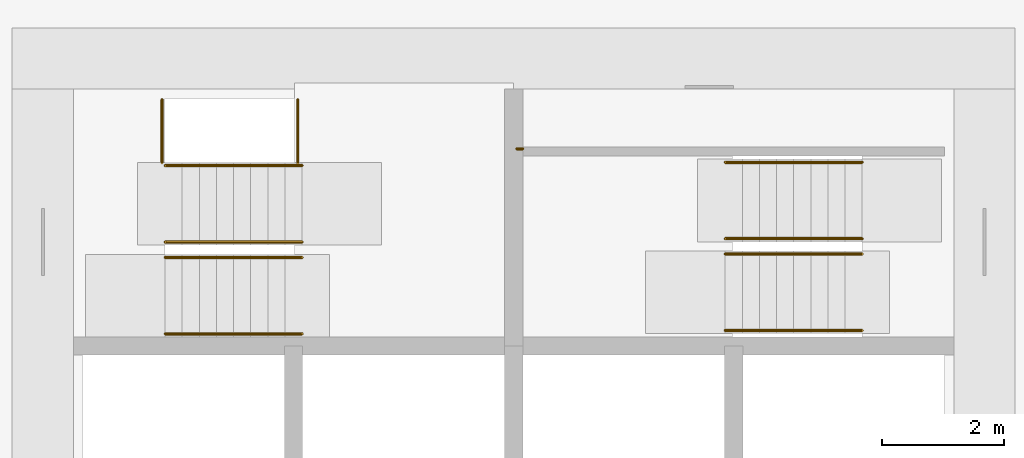
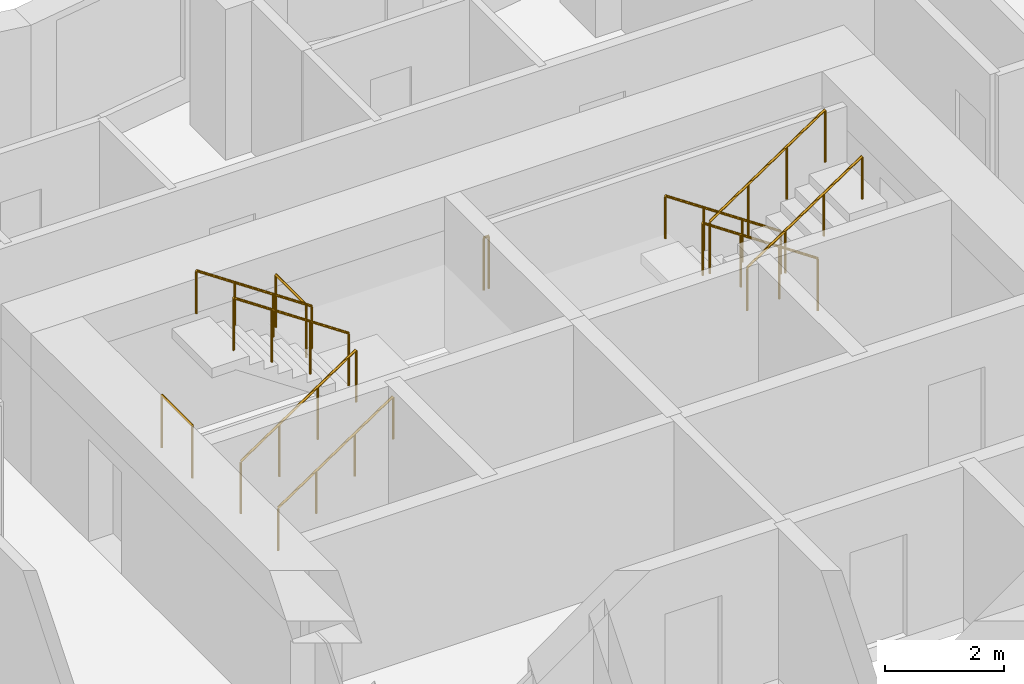
# One storey, part 11 of 13: 11 railings.
"""IFC4 building model written with IfcOpenShell, lengths in metres."""

from ifc_helpers import new_model, si_unit, direction, frame, origin, origin_2d, place, context, subcontext, project, spatial, circle, extrude, material, type_object, element, save


model = new_model("IFC4")

# Units and contexts
model_context = context("Model", 3, precision=1e-05, world=origin(), true_north=direction((0.0, 1.0)))
body_context = subcontext(model_context, "Body", "Model", "MODEL_VIEW")
ifc_project = project(units=[si_unit("LENGTHUNIT", "METRE"), si_unit("AREAUNIT", "SQUARE_METRE"), si_unit("VOLUMEUNIT", "CUBIC_METRE"), si_unit("PLANEANGLEUNIT", "RADIAN"), si_unit("MASSUNIT", "GRAM", prefix="KILO")], contexts=[model_context])

# Site, building, storey
site_placement = place(None, origin())
site = spatial("IfcSite", under=ifc_project, at=site_placement, CompositionType="ELEMENT")
building_placement = place(site_placement, origin())
building = spatial("IfcBuilding", under=site, at=building_placement, Name="Windrow Commons", CompositionType="ELEMENT")
storey_placement = place(building_placement, frame((0.0, 0.0, 64.4)))
storey = spatial("IfcBuildingStorey", under=building, at=storey_placement, Name="L17", CompositionType="ELEMENT", Elevation=64.4)

# Railings
ifc_material_1 = material(Name="Steel S355", Category="steel")
railing_type_1 = type_object("IfcRailingType", Name="Core stair guard 1100", PredefinedType="GUARDRAIL", material=ifc_material_1)
railing_1_placement = place(storey_placement, frame((59.1, 62.05, 0.1889)))
element("IfcRailing", 1, at=railing_1_placement, inside=storey, type_object=railing_type_1, Name="L17 ST-A1 stair guard 1", PredefinedType="GUARDRAIL", context=body_context, shape_type="SweptSolid", body=[
    extrude(circle(Radius=0.024, at=origin_2d()), frame((0.0, 0.0, 1.076), z_axis=(0.8290030985, 0.0, 0.5592440099), x_axis=(0.0, 1.0, 0.0)), (0.0, 0.0, 1.0), 2.702),
    extrude(circle(Radius=0.021, at=origin_2d()), origin(), (0.0, 0.0, 1.0), 1.052),
    extrude(circle(Radius=0.021, at=origin_2d()), frame((0.7467, 0.0, 0.5037)), (0.0, 0.0, 1.0), 1.052),
    extrude(circle(Radius=0.021, at=origin_2d()), frame((1.4933, 0.0, 1.0074)), (0.0, 0.0, 1.0), 1.052),
    extrude(circle(Radius=0.021, at=origin_2d()), frame((2.24, 0.0, 1.5111)), (0.0, 0.0, 1.0), 1.052),
])
railing_2_placement = place(storey_placement, frame((61.34, 62.3, 1.8889)))
element("IfcRailing", 2, at=railing_2_placement, inside=storey, type_object=railing_type_1, Name="L17 ST-A1 stair guard 2", PredefinedType="GUARDRAIL", context=body_context, shape_type="SweptSolid", body=[
    extrude(circle(Radius=0.024, at=origin_2d()), frame((0.0, 0.0, 1.076), z_axis=(-0.8290030985, 0.0, 0.5592440099), x_axis=(0.0, -1.0, 0.0)), (0.0, 0.0, 1.0), 2.702),
    extrude(circle(Radius=0.021, at=origin_2d()), origin(), (0.0, 0.0, 1.0), 1.052),
    extrude(circle(Radius=0.021, at=origin_2d()), frame((-0.7467, 0.0, 0.5037)), (0.0, 0.0, 1.0), 1.052),
    extrude(circle(Radius=0.021, at=origin_2d()), frame((-1.4933, 0.0, 1.0074)), (0.0, 0.0, 1.0), 1.052),
    extrude(circle(Radius=0.021, at=origin_2d()), frame((-2.24, 0.0, 1.5111)), (0.0, 0.0, 1.0), 1.052),
])
for number, where, name in (
    (3, (59.05, 63.6, 0.0), "L17 ST-A1 stair guard 3"),
    (4, (61.27, 63.6, 1.7), "L17 ST-A1 stair guard 4"),
):
    element("IfcRailing", number, at=place(storey_placement, frame(where)), inside=storey, type_object=railing_type_1, Name=name, PredefinedType="GUARDRAIL", context=body_context, shape_type="SweptSolid", body=[
        extrude(circle(Radius=0.024, at=origin_2d()), frame((0.0, 0.0, 1.076), z_axis=(0.0, 1.0, 0.0), x_axis=(-1.0, 0.0, 0.0)), (0.0, 0.0, 1.0), 1.03),
        extrude(circle(Radius=0.021, at=origin_2d()), origin(), (0.0, 0.0, 1.0), 1.052),
        extrude(circle(Radius=0.021, at=origin_2d()), frame((0.0, 1.03, 0.0)), (0.0, 0.0, 1.0), 1.052),
    ])
railing_3_placement = place(storey_placement, frame((70.5, 62.355, 0.1889)))
element("IfcRailing", 5, at=railing_3_placement, inside=storey, type_object=railing_type_1, Name="L17 ST-A2 stair guard 1", PredefinedType="GUARDRAIL", context=body_context, shape_type="SweptSolid", body=[
    extrude(circle(Radius=0.024, at=origin_2d()), frame((0.0, 0.0, 1.076), z_axis=(-0.8290030985, 0.0, 0.5592440099), x_axis=(0.0, -1.0, 0.0)), (0.0, 0.0, 1.0), 2.702),
    extrude(circle(Radius=0.021, at=origin_2d()), origin(), (0.0, 0.0, 1.0), 1.052),
    extrude(circle(Radius=0.021, at=origin_2d()), frame((-0.7467, 0.0, 0.5037)), (0.0, 0.0, 1.0), 1.052),
    extrude(circle(Radius=0.021, at=origin_2d()), frame((-1.4933, 0.0, 1.0074)), (0.0, 0.0, 1.0), 1.052),
    extrude(circle(Radius=0.021, at=origin_2d()), frame((-2.24, 0.0, 1.5111)), (0.0, 0.0, 1.0), 1.052),
])
railing_4_placement = place(storey_placement, frame((68.26, 62.105, 1.8889)))
element("IfcRailing", 6, at=railing_4_placement, inside=storey, type_object=railing_type_1, Name="L17 ST-A2 stair guard 2", PredefinedType="GUARDRAIL", context=body_context, shape_type="SweptSolid", body=[
    extrude(circle(Radius=0.024, at=origin_2d()), frame((0.0, 0.0, 1.076), z_axis=(0.8290030985, 0.0, 0.5592440099), x_axis=(0.0, 1.0, 0.0)), (0.0, 0.0, 1.0), 2.702),
    extrude(circle(Radius=0.021, at=origin_2d()), origin(), (0.0, 0.0, 1.0), 1.052),
    extrude(circle(Radius=0.021, at=origin_2d()), frame((0.7467, 0.0, 0.5037)), (0.0, 0.0, 1.0), 1.052),
    extrude(circle(Radius=0.021, at=origin_2d()), frame((1.4933, 0.0, 1.0074)), (0.0, 0.0, 1.0), 1.052),
    extrude(circle(Radius=0.021, at=origin_2d()), frame((2.24, 0.0, 1.5111)), (0.0, 0.0, 1.0), 1.052),
])
railing_5_placement = place(storey_placement, frame((64.95, 63.825, 1.7)))
element("IfcRailing", 7, at=railing_5_placement, inside=storey, type_object=railing_type_1, Name="L17 ST-A2 stair guard 3", PredefinedType="GUARDRAIL", context=body_context, shape_type="SweptSolid", body=[
    extrude(circle(Radius=0.024, at=origin_2d()), frame((0.0, 0.0, 1.076), z_axis=(-1.0, 0.0, 0.0), x_axis=(0.0, -1.0, 0.0)), (0.0, 0.0, 1.0), 0.1),
    extrude(circle(Radius=0.021, at=origin_2d()), origin(), (0.0, 0.0, 1.0), 1.052),
    extrude(circle(Radius=0.021, at=origin_2d()), frame((-0.1, 0.0, 0.0)), (0.0, 0.0, 1.0), 1.052),
])
ifc_material_2 = material(Name="Steel S355", Category="steel")
railing_type_2 = type_object("IfcRailingType", Name="Core stair handrail 900", PredefinedType="HANDRAIL", material=ifc_material_2)
railing_6_placement = place(storey_placement, frame((59.1, 60.8, 0.1889)))
element("IfcRailing", 8, at=railing_6_placement, inside=storey, type_object=railing_type_2, Name="L17 ST-A1 stair handrail 1", PredefinedType="HANDRAIL", context=body_context, shape_type="SweptSolid", body=[
    extrude(circle(Radius=0.024, at=origin_2d()), frame((0.0, 0.0, 0.876), z_axis=(0.8290030985, 0.0, 0.5592440099), x_axis=(0.0, 1.0, 0.0)), (0.0, 0.0, 1.0), 2.702),
    extrude(circle(Radius=0.021, at=origin_2d()), origin(), (0.0, 0.0, 1.0), 0.852),
    extrude(circle(Radius=0.021, at=origin_2d()), frame((0.7467, 0.0, 0.5037)), (0.0, 0.0, 1.0), 0.852),
    extrude(circle(Radius=0.021, at=origin_2d()), frame((1.4933, 0.0, 1.0074)), (0.0, 0.0, 1.0), 0.852),
    extrude(circle(Radius=0.021, at=origin_2d()), frame((2.24, 0.0, 1.5111)), (0.0, 0.0, 1.0), 0.852),
])
for number, where, name in (
    (9, (61.34, 63.55, 1.8889), "L17 ST-A1 stair handrail 2"),
    (10, (70.5, 63.605, 0.1889), "L17 ST-A2 stair handrail 1"),
):
    element("IfcRailing", number, at=place(storey_placement, frame(where)), inside=storey, type_object=railing_type_2, Name=name, PredefinedType="HANDRAIL", context=body_context, shape_type="SweptSolid", body=[
        extrude(circle(Radius=0.024, at=origin_2d()), frame((0.0, 0.0, 0.876), z_axis=(-0.8290030985, 0.0, 0.5592440099), x_axis=(0.0, -1.0, 0.0)), (0.0, 0.0, 1.0), 2.702),
        extrude(circle(Radius=0.021, at=origin_2d()), origin(), (0.0, 0.0, 1.0), 0.852),
        extrude(circle(Radius=0.021, at=origin_2d()), frame((-0.7467, 0.0, 0.5037)), (0.0, 0.0, 1.0), 0.852),
        extrude(circle(Radius=0.021, at=origin_2d()), frame((-1.4933, 0.0, 1.0074)), (0.0, 0.0, 1.0), 0.852),
        extrude(circle(Radius=0.021, at=origin_2d()), frame((-2.24, 0.0, 1.5111)), (0.0, 0.0, 1.0), 0.852),
    ])
railing_7_placement = place(storey_placement, frame((68.26, 60.855, 1.8889)))
element("IfcRailing", 11, at=railing_7_placement, inside=storey, type_object=railing_type_2, Name="L17 ST-A2 stair handrail 2", PredefinedType="HANDRAIL", context=body_context, shape_type="SweptSolid", body=[
    extrude(circle(Radius=0.024, at=origin_2d()), frame((0.0, 0.0, 0.876), z_axis=(0.8290030985, 0.0, 0.5592440099), x_axis=(0.0, 1.0, 0.0)), (0.0, 0.0, 1.0), 2.702),
    extrude(circle(Radius=0.021, at=origin_2d()), origin(), (0.0, 0.0, 1.0), 0.852),
    extrude(circle(Radius=0.021, at=origin_2d()), frame((0.7467, 0.0, 0.5037)), (0.0, 0.0, 1.0), 0.852),
    extrude(circle(Radius=0.021, at=origin_2d()), frame((1.4933, 0.0, 1.0074)), (0.0, 0.0, 1.0), 0.852),
    extrude(circle(Radius=0.021, at=origin_2d()), frame((2.24, 0.0, 1.5111)), (0.0, 0.0, 1.0), 0.852),
])

save(model, "model.ifc")
